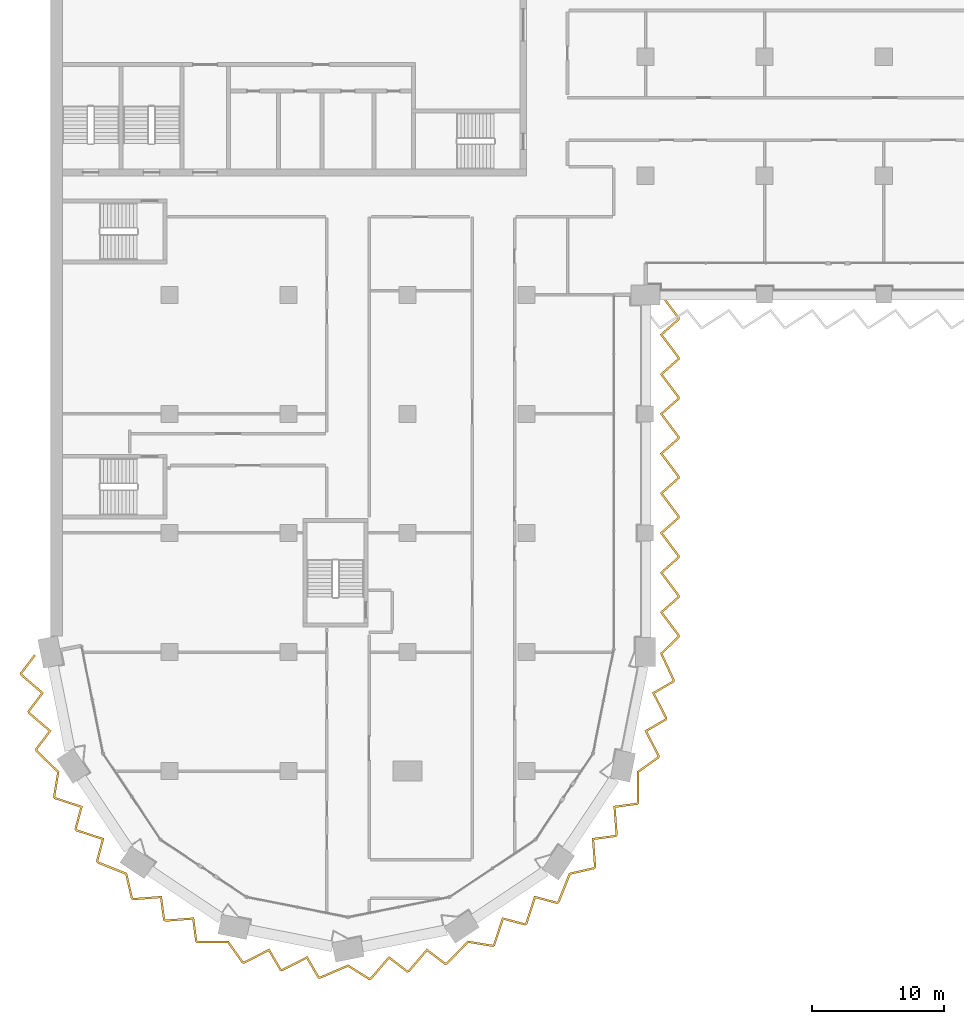
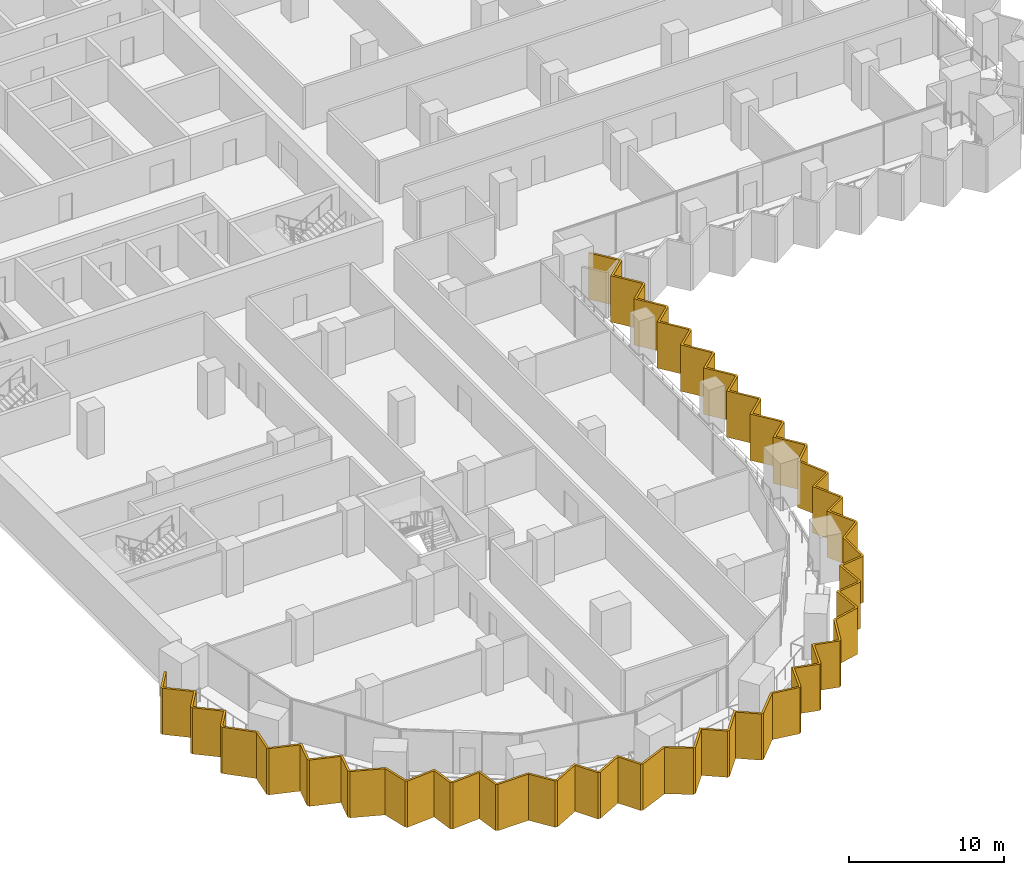
# One storey, part 19 of 23: 1 shading device.
"""IFC4 building model written with IfcOpenShell, lengths in metres."""

from ifc_helpers import new_model, si_unit, direction, frame, origin, place, context, subcontext, project, spatial, polyline, outline, extrude, material, layer, layer_set, type_object, element, save


model = new_model("IFC4")

# Units and contexts
model_context = context("Model", 3, precision=1e-05, world=origin(), true_north=direction((0.0, 1.0)))
body_context = subcontext(model_context, "Body", "Model", "MODEL_VIEW")
ifc_project = project(units=[si_unit("LENGTHUNIT", "METRE"), si_unit("AREAUNIT", "SQUARE_METRE"), si_unit("VOLUMEUNIT", "CUBIC_METRE"), si_unit("PLANEANGLEUNIT", "RADIAN"), si_unit("MASSUNIT", "GRAM", prefix="KILO")], contexts=[model_context])

# Site, building, storey
site_placement = place(None, origin())
site = spatial("IfcSite", under=ifc_project, at=site_placement, CompositionType="ELEMENT")
building_placement = place(site_placement, origin())
building = spatial("IfcBuilding", under=site, at=building_placement, Name="Hunhe Ridgeline Campus", CompositionType="ELEMENT")
storey_placement = place(building_placement, frame((0.0, 0.0, 99.60009765625)))
storey = spatial("IfcBuildingStorey", under=building, at=storey_placement, Name="L24", CompositionType="ELEMENT", Elevation=99.60009765625)

# Shading device
ifc_material = material(Name="Concrete C50", Category="concrete")
ifc_layer = layer(ifc_material, 0.14990234375)
ifc_layer_set = layer_set([ifc_layer], Name="Sawtooth concrete fin 150 Concrete C50")
shading_device_type = type_object("IfcShadingDeviceType", Name="Sawtooth concrete fin 150 Concrete C50", PredefinedType="USERDEFINED", material=ifc_layer_set)
shading_device_placement = place(storey_placement, frame((0.0, 0.0, -0.9501953125)))
element("IfcShadingDevice", 1, at=shading_device_placement, inside=storey, type_object=shading_device_type, Name="Concrete fin screen 1", ObjectType="FIN", PredefinedType="USERDEFINED", context=body_context, shape_type="SweptSolid", body=[
    extrude(outline(polyline([(-1.1064453125, 26.72265625), (-1.2255859375, 26.8134765625), (-2.29736328125, 25.407958984375), (-2.262451171875, 25.231689453125), (-0.69775390625, 23.88720703125), (-1.7265625, 22.537841796875), (-1.69140625, 22.361572265625), (-0.126708984375, 21.01708984375), (-1.155517578125, 19.667724609375), (-1.12109375, 19.493896484375), (0.512451171875, 17.8994140625), (0.20166015625, 16.0361328125), (0.29931640625, 15.89013671875), (2.259521484375, 15.246826171875), (1.8251953125, 13.6064453125), (1.925048828125, 13.45703125), (3.88525390625, 12.8134765625), (3.450927734375, 11.17333984375), (3.54931640625, 11.02587890625), (5.668701171875, 10.177978515625), (6.0947265625, 8.337646484375), (6.24072265625, 8.239990234375), (8.2978515625, 8.395751953125), (8.5244140625, 6.714111328125), (8.674072265625, 6.6142578125), (10.73095703125, 6.769775390625), (10.957763671875, 5.088134765625), (11.10498046875, 4.98974609375), (13.387451171875, 5.017333984375), (14.4853515625, 3.480224609375), (14.657470703125, 3.44580078125), (16.49853515625, 4.376953125), (17.3515625, 2.909912109375), (17.52783203125, 2.875), (19.36865234375, 3.80615234375), (20.2216796875, 2.339111328125), (20.395263671875, 2.3046875), (22.493408203125, 3.203369140625), (24.09619140625, 2.203369140625), (24.268310546875, 2.237548828125), (25.61279296875, 3.80224609375), (26.962158203125, 2.7734375), (27.138427734375, 2.80859375), (28.48291015625, 4.373291015625), (29.832275390625, 3.344482421875), (30.006103515625, 3.37890625), (31.6005859375, 5.012451171875), (33.4638671875, 4.70166015625), (33.60986328125, 4.79931640625), (34.253173828125, 6.759521484375), (35.8935546875, 6.3251953125), (36.04296875, 6.425048828125), (36.6865234375, 8.38525390625), (38.32666015625, 7.950927734375), (38.47412109375, 8.04931640625), (39.322021484375, 10.168701171875), (41.162353515625, 10.5947265625), (41.260009765625, 10.74072265625), (41.104248046875, 12.7978515625), (42.785888671875, 13.0244140625), (42.8857421875, 13.174072265625), (42.730224609375, 15.23095703125), (44.411865234375, 15.457763671875), (44.51025390625, 15.60498046875), (44.482666015625, 17.887451171875), (46.019775390625, 18.9853515625), (46.05419921875, 19.157470703125), (45.123046875, 20.99853515625), (46.590087890625, 21.8515625), (46.625, 22.02783203125), (45.69384765625, 23.86865234375), (47.160888671875, 24.7216796875), (47.195556640625, 24.896484375), (46.279296875, 26.8662109375), (47.56396484375, 28.115478515625), (47.56396484375, 28.292236328125), (46.29052734375, 29.989501953125), (47.56396484375, 31.11328125), (47.56396484375, 31.292236328125), (46.29052734375, 32.989501953125), (47.56396484375, 34.11328125), (47.56396484375, 34.292236328125), (46.29052734375, 35.989501953125), (47.56396484375, 37.11328125), (47.56396484375, 37.292236328125), (46.29052734375, 38.989501953125), (47.56396484375, 40.11328125), (47.56396484375, 40.292236328125), (46.29052734375, 41.989501953125), (47.56396484375, 43.11328125), (47.56396484375, 43.292236328125), (46.29052734375, 44.989501953125), (47.56396484375, 46.11328125), (47.56396484375, 46.292236328125), (46.29052734375, 47.989501953125), (47.56396484375, 49.11328125), (47.56396484375, 49.292236328125), (46.29052734375, 50.989501953125), (47.56396484375, 52.11328125), (47.56396484375, 52.292236328125), (46.248779296875, 54.044921875), (46.12890625, 53.955078125), (47.413818359375, 52.2421875), (47.413818359375, 52.180908203125), (46.08740234375, 51.010498046875), (47.413818359375, 49.2421875), (47.413818359375, 49.180908203125), (46.08740234375, 48.010498046875), (47.413818359375, 46.2421875), (47.413818359375, 46.180908203125), (46.08740234375, 45.010498046875), (47.413818359375, 43.2421875), (47.413818359375, 43.180908203125), (46.08740234375, 42.010498046875), (47.413818359375, 40.2421875), (47.413818359375, 40.180908203125), (46.08740234375, 39.010498046875), (47.413818359375, 37.2421875), (47.413818359375, 37.180908203125), (46.08740234375, 36.010498046875), (47.413818359375, 34.2421875), (47.413818359375, 34.180908203125), (46.08740234375, 33.010498046875), (47.413818359375, 31.2421875), (47.413818359375, 31.180908203125), (46.08740234375, 30.010498046875), (47.413818359375, 28.2421875), (47.413818359375, 28.1787109375), (46.098388671875, 26.899658203125), (47.0390625, 24.877685546875), (47.02685546875, 24.817138671875), (45.496337890625, 23.92724609375), (46.4677734375, 22.006103515625), (46.4560546875, 21.947021484375), (44.92529296875, 21.05712890625), (45.89697265625, 19.135986328125), (45.88427734375, 19.072998046875), (44.331787109375, 17.964111328125), (44.359619140625, 15.649658203125), (44.32470703125, 15.597412109375), (42.56982421875, 15.36083984375), (42.732421875, 13.21435546875), (42.698974609375, 13.1640625), (40.944091796875, 12.927734375), (41.1064453125, 10.781005859375), (41.07080078125, 10.7275390625), (39.2119140625, 10.297119140625), (38.35205078125, 8.148193359375), (38.2998046875, 8.11328125), (36.588134765625, 8.56640625), (35.916748046875, 6.52099609375), (35.866455078125, 6.487548828125), (34.15478515625, 6.940673828125), (33.4833984375, 4.895263671875), (33.429931640625, 4.859375), (31.5478515625, 5.17333984375), (29.93115234375, 3.51708984375), (29.869384765625, 3.504638671875), (28.46142578125, 4.578369140625), (27.058349609375, 2.945556640625), (26.999267578125, 2.933837890625), (25.59130859375, 4.00732421875), (24.188232421875, 2.374755859375), (24.125244140625, 2.362060546875), (22.506591796875, 3.372314453125), (20.37890625, 2.460693359375), (20.317138671875, 2.47314453125), (19.42724609375, 4.003662109375), (17.506103515625, 3.0322265625), (17.447021484375, 3.0439453125), (16.55712890625, 4.57470703125), (14.635986328125, 3.60302734375), (14.572998046875, 3.61572265625), (13.464111328125, 5.168212890625), (11.149658203125, 5.140380859375), (11.097412109375, 5.17529296875), (10.86083984375, 6.93017578125), (8.71435546875, 6.767578125), (8.6640625, 6.801025390625), (8.427734375, 8.555908203125), (6.281005859375, 8.3935546875), (6.2275390625, 8.42919921875), (5.797119140625, 10.2880859375), (3.648193359375, 11.14794921875), (3.61328125, 11.2001953125), (4.06640625, 12.911865234375), (2.02099609375, 13.583251953125), (1.987548828125, 13.633544921875), (2.440673828125, 15.34521484375), (0.395263671875, 16.0166015625), (0.359375, 16.070068359375), (0.67333984375, 17.9521484375), (-0.98291015625, 19.56884765625), (-0.995361328125, 19.630615234375), (0.078369140625, 21.03857421875), (-1.554443359375, 22.441650390625), (-1.566162109375, 22.500732421875), (-0.49267578125, 23.90869140625), (-2.125244140625, 25.311767578125), (-2.13720703125, 25.370849609375), (-1.1064453125, 26.72265625)])), origin(), (0.0, 0.0, 1.0), 3.650146484375),
])

save(model, "model.ifc")
